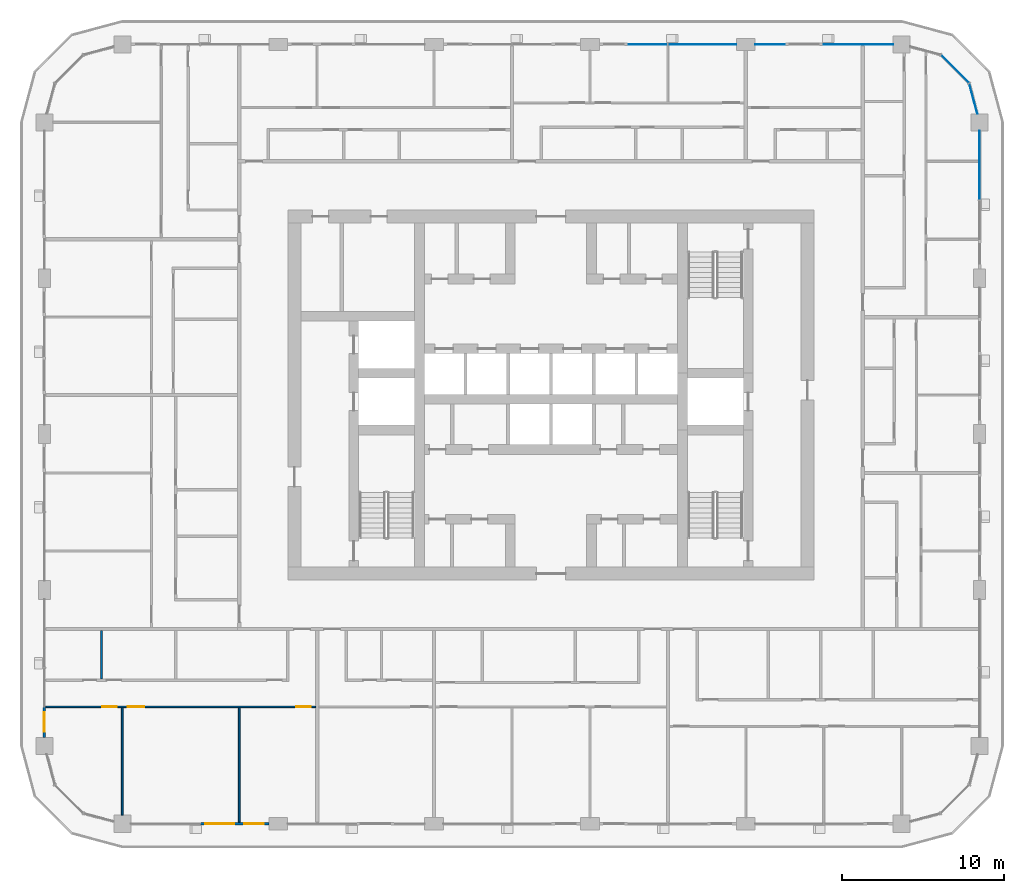
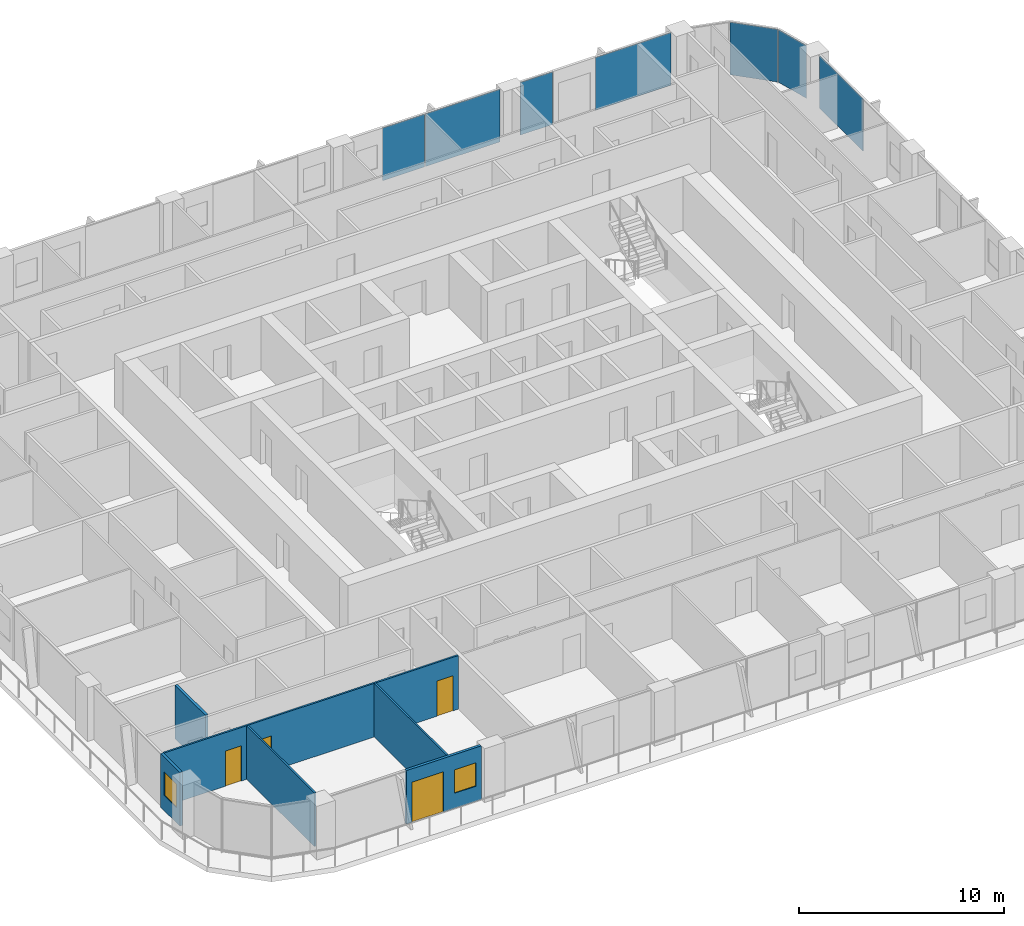
# One storey, part 8 of 22: 7 plates, 6 walls, 4 doors, 2 windows, 6 openings, 4 elements without a shape of their own.
"""IFC4 building model written with IfcOpenShell, lengths in metres."""

from ifc_helpers import new_model, si_unit, direction, frame, frame_2d, origin, origin_2d, place, context, subcontext, project, spatial, rectangle, extrude, material, layer, layer_set, type_object, element, fill, aggregate, save


model = new_model("IFC4")

# Units and contexts
model_context = context("Model", 3, precision=1e-05, world=origin(), true_north=direction((0.0, 1.0)))
body_context = subcontext(model_context, "Body", "Model", "MODEL_VIEW")
ifc_project = project(units=[si_unit("LENGTHUNIT", "METRE"), si_unit("AREAUNIT", "SQUARE_METRE"), si_unit("VOLUMEUNIT", "CUBIC_METRE"), si_unit("PLANEANGLEUNIT", "RADIAN"), si_unit("MASSUNIT", "GRAM", prefix="KILO")], contexts=[model_context])

# Site, building, storey
site_placement = place(None, origin())
site = spatial("IfcSite", under=ifc_project, at=site_placement, CompositionType="ELEMENT")
building_placement = place(site_placement, origin())
building = spatial("IfcBuilding", under=site, at=building_placement, Name="Madar Terraces", CompositionType="ELEMENT")
storey_placement = place(building_placement, frame((0.0, 0.0, 166.5)))
storey = spatial("IfcBuildingStorey", under=building, at=storey_placement, Name="L43", CompositionType="ELEMENT", Elevation=166.5)

# Curtain wall, plate
ifc_material_1 = material(Name="Glass, ceramic frit dark grey, with black aluminium frame", Category="aluminium")
ifc_layer_1 = layer(ifc_material_1, 0.199951171875)
ifc_layer_set_1 = layer_set([ifc_layer_1], Name="Facade curtain wall, fritted glass")
curtain_wall_type = type_object("IfcCurtainWallType", Name="Facade curtain wall, fritted glass", PredefinedType="NOTDEFINED", material=ifc_layer_set_1)
curtain_wall_1_placement = place(storey_placement, origin())
curtain_wall_1 = element("IfcCurtainWall", 1, at=curtain_wall_1_placement, inside=storey, type_object=curtain_wall_type, Name="Outer skin curtain wall east bay 4", PredefinedType="NOTDEFINED")
ifc_material_2 = material(Name="Glass, ceramic frit dark grey", Category="glass")
ifc_layer_2 = layer(ifc_material_2, 0.028076171875)
ifc_layer_set_2 = layer_set([ifc_layer_2], Name="Facade glass panel 28")
plate_type = type_object("IfcPlateType", Name="Facade glass panel 28", PredefinedType="CURTAIN_PANEL", material=ifc_layer_set_2)
plate_1_placement = place(storey_placement, frame((57.60009765625, 40.552490234375, 0.0), z_axis=(0.0, 0.0, 1.0), x_axis=(0.0, 1.0, 0.0)))
plate_1 = element("IfcPlate", 2, at=plate_1_placement, type_object=plate_type, Name="Panel 2", PredefinedType="CURTAIN_PANEL", context=body_context, shape_type="SweptSolid", body=[
    extrude(rectangle(XDim=4.2451171875, YDim=0.028076171875, at=origin_2d()), origin(), (0.0, 0.0, 1.0), 3.139892578125),
])
aggregate(curtain_wall_1, [plate_1])

# Curtain wall, plates
curtain_wall_2_placement = place(storey_placement, origin())
curtain_wall_2 = element("IfcCurtainWall", 3, at=curtain_wall_2_placement, inside=storey, type_object=curtain_wall_type, Name="Outer skin curtain wall north bay 1", PredefinedType="NOTDEFINED")
plate_2_placement = place(storey_placement, frame((50.137451171875, 48.0, 0.0), z_axis=(0.0, 0.0, 1.0), x_axis=(-1.0, 0.0, 0.0)))
plate_2 = element("IfcPlate", 4, at=plate_2_placement, type_object=plate_type, Name="Panel 1", PredefinedType="CURTAIN_PANEL", context=body_context, shape_type="SweptSolid", body=[
    extrude(rectangle(XDim=4.27490234375, YDim=0.028076171875, at=origin_2d()), origin(), (0.0, 0.0, 1.0), 3.139892578125),
])
plate_3_placement = place(storey_placement, frame((44.6875, 48.0, 0.0), z_axis=(0.0, 0.0, 1.0), x_axis=(-1.0, 0.0, 0.0)))
plate_3 = element("IfcPlate", 5, at=plate_3_placement, type_object=plate_type, Name="Panel 2", PredefinedType="CURTAIN_PANEL", context=body_context, shape_type="SweptSolid", body=[
    extrude(rectangle(XDim=1.824951171875, YDim=0.028076171875, at=origin_2d()), origin(), (0.0, 0.0, 1.0), 3.139892578125),
])
aggregate(curtain_wall_2, [plate_2, plate_3])

curtain_wall_3_placement = place(storey_placement, origin())
curtain_wall_3 = element("IfcCurtainWall", 6, at=curtain_wall_3_placement, inside=storey, type_object=curtain_wall_type, Name="Outer skin curtain wall north bay 2", PredefinedType="NOTDEFINED")
plate_4_placement = place(storey_placement, frame((40.527587890625, 48.0, 0.0), z_axis=(0.0, 0.0, 1.0), x_axis=(-1.0, 0.0, 0.0)))
plate_4 = element("IfcPlate", 7, at=plate_4_placement, type_object=plate_type, Name="Panel 1", PredefinedType="CURTAIN_PANEL", context=body_context, shape_type="SweptSolid", body=[
    extrude(rectangle(XDim=4.195068359375, YDim=0.028076171875, at=origin_2d()), origin(), (0.0, 0.0, 1.0), 3.139892578125),
])
plate_5_placement = place(storey_placement, frame((37.18505859375, 48.0, 0.0), z_axis=(0.0, 0.0, 1.0), x_axis=(-1.0, 0.0, 0.0)))
plate_5 = element("IfcPlate", 8, at=plate_5_placement, type_object=plate_type, Name="Panel 2", PredefinedType="CURTAIN_PANEL", context=body_context, shape_type="SweptSolid", body=[
    extrude(rectangle(XDim=2.3701171875, YDim=0.028076171875, at=origin_2d()), origin(), (0.0, 0.0, 1.0), 3.139892578125),
])
aggregate(curtain_wall_3, [plate_4, plate_5])

curtain_wall_4_placement = place(storey_placement, origin())
curtain_wall_4 = element("IfcCurtainWall", 9, at=curtain_wall_4_placement, inside=storey, type_object=curtain_wall_type, Name="Outer skin curtain wall north-east corner", PredefinedType="NOTDEFINED")
plate_6_placement = place(storey_placement, frame((57.2119140625, 44.64794921875, 0.0), z_axis=(0.0, 0.0, 1.0), x_axis=(-0.258819021888, 0.965925832509, 0.0)))
plate_6 = element("IfcPlate", 10, at=plate_6_placement, type_object=plate_type, Name="Panel 1", PredefinedType="CURTAIN_PANEL", context=body_context, shape_type="SweptSolid", body=[
    extrude(rectangle(XDim=1.9111328125, YDim=0.028076171875, at=origin_2d()), origin(), (0.0, 0.0, 1.0), 3.139892578125),
])
plate_7_placement = place(storey_placement, frame((56.078369140625, 46.478515625, 0.0), z_axis=(0.0, 0.0, 1.0), x_axis=(-0.707106781187, 0.707106781187, 0.0)))
plate_7 = element("IfcPlate", 11, at=plate_7_placement, type_object=plate_type, Name="Panel 2", PredefinedType="CURTAIN_PANEL", context=body_context, shape_type="SweptSolid", body=[
    extrude(rectangle(XDim=2.424560546875, YDim=0.028076171875, at=origin_2d()), origin(), (0.0, 0.0, 1.0), 3.139892578125),
])
aggregate(curtain_wall_4, [plate_6, plate_7])

# Wall, openings, door, window
ifc_material_3 = material(Name="Aluminium composite panel, black, over insulated backing", Category="aluminium")
ifc_layer_3 = layer(ifc_material_3, 0.14990234375)
ifc_layer_set_3 = layer_set([ifc_layer_3], Name="Facade bay panel 150")
wall_type_1 = type_object("IfcWallType", Name="Facade bay panel 150", PredefinedType="SOLIDWALL", material=ifc_layer_set_3)
wall_1_placement = place(storey_placement, frame((9.60009765625, 0.0, 0.0), z_axis=(0.0, 0.0, 1.0), x_axis=(1.0, 0.0, 0.0)))
wall_1 = element("IfcWall", 12, at=wall_1_placement, inside=storey, type_object=wall_type_1, Name="Facade bay panel", PredefinedType="SOLIDWALL", context=body_context, shape_type="SweptSolid", body=[
    extrude(rectangle(XDim=4.224853515625, YDim=0.14990234375, at=frame_2d((2.1123046875, 0.0))), origin(), (0.0, 0.0, 1.0), 3.199951171875),
])
opening_1_placement = place(wall_1_placement, frame((0.300048828125, 0.0, 0.0)))
opening_1 = element("IfcOpeningElement", 13, at=opening_1_placement, cuts=wall_1, Name="Opening ED1", PredefinedType="OPENING", context=body_context, shape_type="SweptSolid", body=[
    extrude(rectangle(XDim=1.800048828125, YDim=2.39990234375, at=frame_2d((0.89990234375, 1.199951171875))), frame((0.0, 0.0849609375, 0.0), z_axis=(0.0, -1.0, 0.0), x_axis=(1.0, 0.0, 0.0)), (0.0, 0.0, 1.0), 0.169921875),
])
opening_2_placement = place(wall_1_placement, frame((2.71240234375, 0.0, 0.89990234375)))
opening_2 = element("IfcOpeningElement", 14, at=opening_2_placement, cuts=wall_1, Name="Opening W1", PredefinedType="OPENING", context=body_context, shape_type="SweptSolid", body=[
    extrude(rectangle(XDim=1.199951171875, YDim=1.39990234375, at=frame_2d((0.60009765625, 0.699951171875))), frame((0.0, 0.0849609375, 0.0), z_axis=(0.0, -1.0, 0.0), x_axis=(1.0, 0.0, 0.0)), (0.0, 0.0, 1.0), 0.169921875),
])
ifc_material_4 = material(Name="Glass, clear, with black aluminium frame", Category="aluminium")
door_type_1 = type_object("IfcDoorType", Name="Balcony and terrace sliding door 1800 x 2400", OperationType="SLIDING_TO_LEFT", PredefinedType="DOOR", material=ifc_material_4)
door_1_placement = place(opening_1_placement, origin())
door_1 = element("IfcDoor", 15, at=door_1_placement, inside=storey, type_object=door_type_1, Name="Balcony door", OperationType="SLIDING_TO_LEFT", OverallHeight=2.39990234375, OverallWidth=1.800048828125, PredefinedType="DOOR", context=body_context, shape_type="SweptSolid", body=[
    extrude(rectangle(XDim=1.800048828125, YDim=2.39990234375, at=frame_2d((0.89990234375, 1.199951171875))), frame((0.0, 0.02490234375, 0.0), z_axis=(0.0, -1.0, 0.0), x_axis=(1.0, 0.0, 0.0)), (0.0, 0.0, 1.0), 0.050048828125),
])
fill(opening_1, door_1)
ifc_material_5 = material(Name="Glass, clear, with black aluminium frame", Category="aluminium")
window_type = type_object("IfcWindowType", Name="Vent window 1200 x 1400", PartitioningType="SINGLE_PANEL", PredefinedType="WINDOW", material=ifc_material_5)
window_1_placement = place(opening_2_placement, origin())
window_1 = element("IfcWindow", 16, at=window_1_placement, inside=storey, type_object=window_type, Name="Operable vent window", OverallHeight=1.39990234375, OverallWidth=1.199951171875, PartitioningType="SINGLE_PANEL", PredefinedType="WINDOW", context=body_context, shape_type="SweptSolid", body=[
    extrude(rectangle(XDim=1.199951171875, YDim=1.39990234375, at=frame_2d((0.60009765625, 0.699951171875))), frame((0.0, 0.030029296875, 0.0), z_axis=(0.0, -1.0, 0.0), x_axis=(1.0, 0.0, 0.0)), (0.0, 0.0, 1.0), 0.06005859375),
])
fill(opening_2, window_1)

# Wall, opening, window
wall_2_placement = place(storey_placement, frame((0.0, 7.199951171875, 0.0), z_axis=(0.0, 0.0, 1.0), x_axis=(0.0, -1.0, 0.0)))
wall_2 = element("IfcWall", 17, at=wall_2_placement, inside=storey, type_object=wall_type_1, Name="Facade bay panel", PredefinedType="SOLIDWALL", context=body_context, shape_type="SweptSolid", body=[
    extrude(rectangle(XDim=1.875, YDim=0.14990234375, at=frame_2d((0.9375, 0.0))), origin(), (0.0, 0.0, 1.0), 3.199951171875),
])
opening_3_placement = place(wall_2_placement, frame((0.33740234375, 0.0, 0.89990234375)))
opening_3 = element("IfcOpeningElement", 18, at=opening_3_placement, cuts=wall_2, Name="Opening W1", PredefinedType="OPENING", context=body_context, shape_type="SweptSolid", body=[
    extrude(rectangle(XDim=1.199951171875, YDim=1.39990234375, at=frame_2d((0.60009765625, 0.699951171875))), frame((0.0, 0.0849609375, 0.0), z_axis=(0.0, -1.0, 0.0), x_axis=(1.0, 0.0, 0.0)), (0.0, 0.0, 1.0), 0.169921875),
])
window_2_placement = place(opening_3_placement, origin())
window_2 = element("IfcWindow", 19, at=window_2_placement, inside=storey, type_object=window_type, Name="Operable vent window", OverallHeight=1.39990234375, OverallWidth=1.199951171875, PartitioningType="SINGLE_PANEL", PredefinedType="WINDOW", context=body_context, shape_type="SweptSolid", body=[
    extrude(rectangle(XDim=1.199951171875, YDim=1.39990234375, at=frame_2d((0.60009765625, 0.699951171875))), frame((0.0, 0.030029296875, 0.0), z_axis=(0.0, -1.0, 0.0), x_axis=(1.0, 0.0, 0.0)), (0.0, 0.0, 1.0), 0.06005859375),
])
fill(opening_3, window_2)

# Walls
ifc_material_6 = material(Name="Gypsum board on steel studs", Category="steel")
ifc_layer_4 = layer(ifc_material_6, 0.10009765625)
ifc_layer_set_4 = layer_set([ifc_layer_4], Name="Flat partition 100")
wall_type_2 = type_object("IfcWallType", Name="Flat partition 100", PredefinedType="PARTITIONING", material=ifc_layer_set_4)
wall_3_placement = place(storey_placement, frame((12.0, 7.14990234375, 0.0), z_axis=(0.0, 0.0, 1.0), x_axis=(0.0, -1.0, 0.0)))
element("IfcWall", 20, at=wall_3_placement, inside=storey, type_object=wall_type_2, Name="Flat partition 100", PredefinedType="PARTITIONING", context=body_context, shape_type="SweptSolid", body=[
    extrude(rectangle(XDim=7.0498046875, YDim=0.10009765625, at=frame_2d((3.52490234375, 0.0))), origin(), (0.0, 0.0, 1.0), 3.199951171875),
])
wall_4_placement = place(storey_placement, frame((4.800048828125, 7.14990234375, 0.0), z_axis=(0.0, 0.0, 1.0), x_axis=(0.0, -1.0, 0.0)))
element("IfcWall", 21, at=wall_4_placement, inside=storey, type_object=wall_type_2, Name="Flat partition 100", PredefinedType="PARTITIONING", context=body_context, shape_type="SweptSolid", body=[
    extrude(rectangle(XDim=6.625, YDim=0.10009765625, at=frame_2d((3.3125, 0.0))), origin(), (0.0, 0.0, 1.0), 3.199951171875),
])

# Wall, openings, doors
wall_5_placement = place(storey_placement, frame((16.699951171875, 7.199951171875, 0.0), z_axis=(0.0, 0.0, 1.0), x_axis=(-1.0, 0.0, 0.0)))
wall_5 = element("IfcWall", 22, at=wall_5_placement, inside=storey, type_object=wall_type_2, Name="Flat partition 100", PredefinedType="PARTITIONING", context=body_context, shape_type="SweptSolid", body=[
    extrude(rectangle(XDim=16.599853515625, YDim=0.10009765625, at=frame_2d((8.2998046875, 0.0))), origin(), (0.0, 0.0, 1.0), 3.199951171875),
])
opening_4_placement = place(wall_5_placement, frame((0.300048828125, 0.0, 0.0)))
opening_4 = element("IfcOpeningElement", 23, at=opening_4_placement, cuts=wall_5, Name="Opening D2", PredefinedType="OPENING", context=body_context, shape_type="SweptSolid", body=[
    extrude(rectangle(XDim=0.89990234375, YDim=2.10009765625, at=frame_2d((0.449951171875, 1.050048828125))), frame((0.0, 0.06005859375, 0.0), z_axis=(0.0, -1.0, 0.0), x_axis=(1.0, 0.0, 0.0)), (0.0, 0.0, 1.0), 0.1201171875),
])
opening_5_placement = place(wall_5_placement, frame((10.550048828125, 0.0, 0.0)))
opening_5 = element("IfcOpeningElement", 24, at=opening_5_placement, cuts=wall_5, Name="Opening D3", PredefinedType="OPENING", context=body_context, shape_type="SweptSolid", body=[
    extrude(rectangle(XDim=1.0, YDim=2.10009765625, at=frame_2d((0.5, 1.050048828125))), frame((0.0, 0.06005859375, 0.0), z_axis=(0.0, -1.0, 0.0), x_axis=(1.0, 0.0, 0.0)), (0.0, 0.0, 1.0), 0.1201171875),
])
opening_6_placement = place(wall_5_placement, frame((12.25, 0.0, 0.0)))
opening_6 = element("IfcOpeningElement", 25, at=opening_6_placement, cuts=wall_5, Name="Opening D2", PredefinedType="OPENING", context=body_context, shape_type="SweptSolid", body=[
    extrude(rectangle(XDim=0.89990234375, YDim=2.10009765625, at=frame_2d((0.449951171875, 1.050048828125))), frame((0.0, 0.06005859375, 0.0), z_axis=(0.0, -1.0, 0.0), x_axis=(1.0, 0.0, 0.0)), (0.0, 0.0, 1.0), 0.1201171875),
])
ifc_material_7 = material(Name="Timber door leaf", Category="wood")
door_type_2 = type_object("IfcDoorType", Name="Flat living room door 1000", OperationType="NOTDEFINED", PredefinedType="DOOR", material=ifc_material_7)
door_2_placement = place(opening_5_placement, origin())
door_2 = element("IfcDoor", 26, at=door_2_placement, inside=storey, type_object=door_type_2, Name="Flat living room door 1000", OperationType="SINGLE_SWING_RIGHT", OverallHeight=2.10009765625, OverallWidth=1.0, PredefinedType="DOOR", context=body_context, shape_type="SweptSolid", body=[
    extrude(rectangle(XDim=1.0, YDim=2.10009765625, at=frame_2d((0.5, 1.050048828125))), frame((0.0, 0.02490234375, 0.0), z_axis=(0.0, -1.0, 0.0), x_axis=(1.0, 0.0, 0.0)), (0.0, 0.0, 1.0), 0.050048828125),
])
fill(opening_5, door_2)
ifc_material_8 = material(Name="Timber door leaf", Category="wood")
door_type_3 = type_object("IfcDoorType", Name="Flat room door 900", OperationType="NOTDEFINED", PredefinedType="DOOR", material=ifc_material_8)
door_3_placement = place(opening_4_placement, origin())
door_3 = element("IfcDoor", 27, at=door_3_placement, inside=storey, type_object=door_type_3, Name="Flat room door 900", OperationType="SINGLE_SWING_LEFT", OverallHeight=2.10009765625, OverallWidth=0.89990234375, PredefinedType="DOOR", context=body_context, shape_type="SweptSolid", body=[
    extrude(rectangle(XDim=0.89990234375, YDim=2.10009765625, at=frame_2d((0.449951171875, 1.050048828125))), frame((0.0, 0.02490234375, 0.0), z_axis=(0.0, -1.0, 0.0), x_axis=(1.0, 0.0, 0.0)), (0.0, 0.0, 1.0), 0.050048828125),
])
fill(opening_4, door_3)
door_4_placement = place(opening_6_placement, origin())
door_4 = element("IfcDoor", 28, at=door_4_placement, inside=storey, type_object=door_type_3, Name="Flat room door 900", OperationType="SINGLE_SWING_LEFT", OverallHeight=2.10009765625, OverallWidth=0.89990234375, PredefinedType="DOOR", context=body_context, shape_type="SweptSolid", body=[
    extrude(rectangle(XDim=0.89990234375, YDim=2.10009765625, at=frame_2d((0.449951171875, 1.050048828125))), frame((0.0, 0.02490234375, 0.0), z_axis=(0.0, -1.0, 0.0), x_axis=(1.0, 0.0, 0.0)), (0.0, 0.0, 1.0), 0.050048828125),
])
fill(opening_6, door_4)

# Wall
ifc_material_9 = material(Name="Lightweight blockwork", Category="masonry")
ifc_layer_5 = layer(ifc_material_9, 0.14990234375)
ifc_layer_set_5 = layer_set([ifc_layer_5], Name="Flat wet-room partition 150")
wall_type_3 = type_object("IfcWallType", Name="Flat wet-room partition 150", PredefinedType="PARTITIONING", material=ifc_layer_set_5)
wall_6_placement = place(storey_placement, frame((3.521240234375, 11.89990234375, 0.0), z_axis=(0.0, 0.0, 1.0), x_axis=(0.0, -1.0, 0.0)))
element("IfcWall", 29, at=wall_6_placement, inside=storey, type_object=wall_type_3, Name="Flat wet-room partition 150", PredefinedType="PARTITIONING", context=body_context, shape_type="SweptSolid", body=[
    extrude(rectangle(XDim=2.974853515625, YDim=0.14990234375, at=frame_2d((1.4873046875, 0.0))), origin(), (0.0, 0.0, 1.0), 3.199951171875),
])

save(model, "model.ifc")
